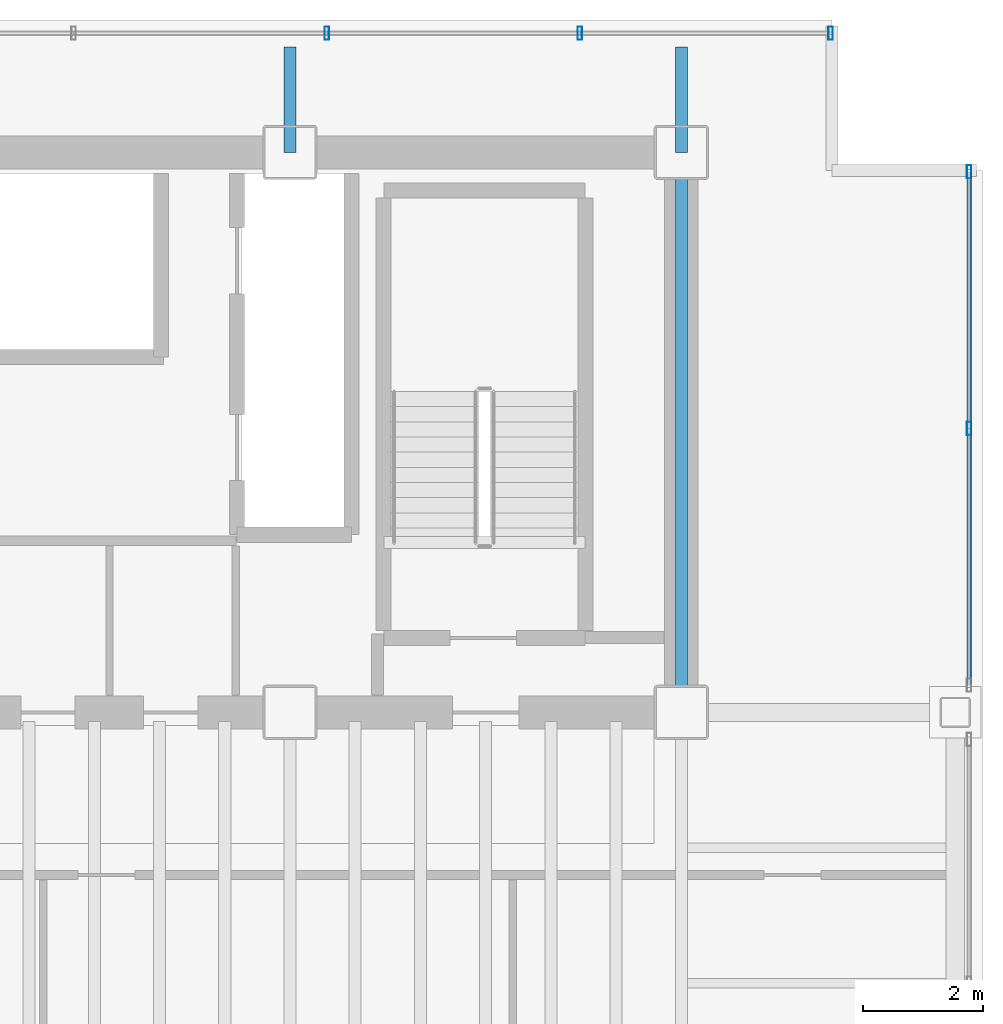
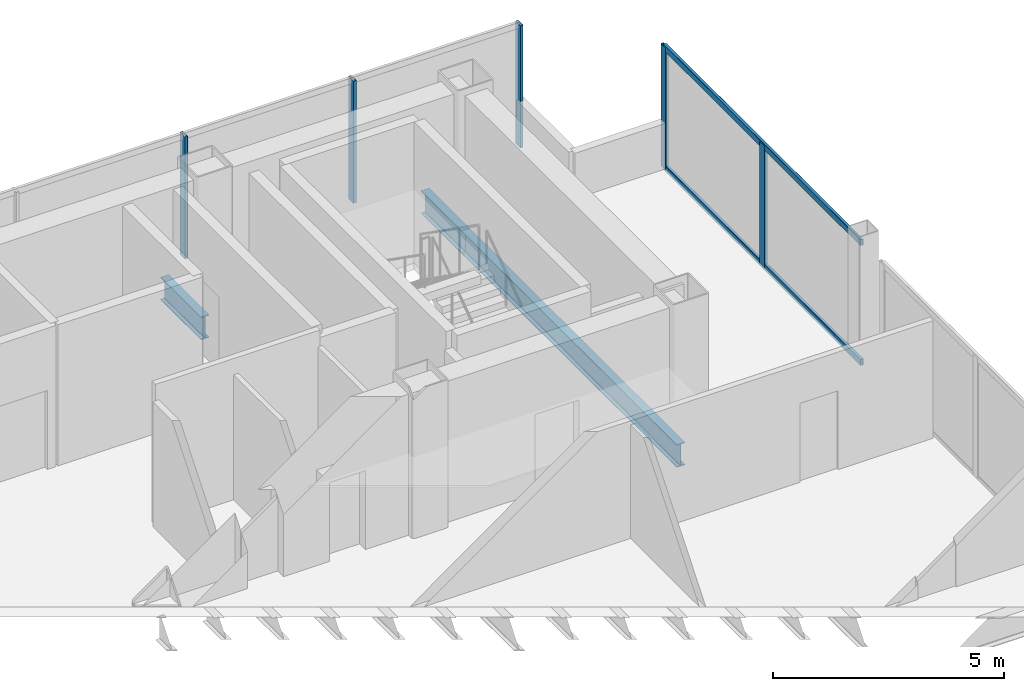
# One storey, part 17 of 22: 7 members, 3 beams, 2 elements without a shape of their own.
"""IFC4 building model written with IfcOpenShell, lengths in metres."""

from ifc_helpers import new_model, si_unit, direction, frame, origin, origin_2d, place, context, subcontext, project, spatial, hollow_rectangle, i_section, extrude, material, material_profile, profile_set, type_object, element, aggregate, save


model = new_model("IFC4")

# Units and contexts
model_context = context("Model", 3, precision=1e-05, world=origin(), true_north=direction((0.0, 1.0)))
body_context = subcontext(model_context, "Body", "Model", "MODEL_VIEW")
ifc_project = project(units=[si_unit("LENGTHUNIT", "METRE"), si_unit("AREAUNIT", "SQUARE_METRE"), si_unit("VOLUMEUNIT", "CUBIC_METRE"), si_unit("PLANEANGLEUNIT", "RADIAN"), si_unit("MASSUNIT", "GRAM", prefix="KILO")], contexts=[model_context])

# Site, building, storey
site_placement = place(None, origin())
site = spatial("IfcSite", under=ifc_project, at=site_placement, CompositionType="ELEMENT")
building_placement = place(site_placement, origin())
building = spatial("IfcBuilding", under=site, at=building_placement, Name="Noeulbin Bourse Tower", CompositionType="ELEMENT")
storey_placement = place(building_placement, frame((0.0, 0.0, 130.5)))
storey = spatial("IfcBuildingStorey", under=building, at=storey_placement, Name="L32", CompositionType="ELEMENT", Elevation=130.5)

# Beams
ifc_material_1 = material(Name="Steel S355", Category="steel")
ifc_material_profile_1 = material_profile(ifc_material_1, i_section(OverallWidth=0.199951171875, OverallDepth=0.60009765625, WebThickness=0.010986328125, FlangeThickness=0.01708984375, FilletRadius=0.02197265625, at=origin_2d()), Name="H-600x200x11x17", Category="LoadBearing")
ifc_profile_set_1 = profile_set([ifc_material_profile_1], Name="Steel S355")
beam_type = type_object("IfcBeamType", Name="BM-GRD-600", PredefinedType="USERDEFINED", material=ifc_profile_set_1)
beam_1_placement = place(storey_placement, frame((37.5, 38.300048828125, -0.47998046875), z_axis=(0.0, 1.0, 0.0), x_axis=(-1.0, 0.0, 0.0)))
element("IfcBeam", 1, at=beam_1_placement, inside=storey, type_object=beam_type, Name="Tower Primary Girder NS L32-4.4", ObjectType="GIRDER", PredefinedType="USERDEFINED", context=body_context, shape_type="SweptSolid", body=[
    extrude(i_section(OverallWidth=0.199951171875, OverallDepth=0.60009765625, WebThickness=0.010986328125, FlangeThickness=0.01708984375, FilletRadius=0.02197265625, at=origin_2d()), origin(), (0.0, 0.0, 1.0), 1.75),
])
beam_2_placement = place(storey_placement, frame((44.0, 29.0, -0.47998046875), z_axis=(0.0, 1.0, 0.0), x_axis=(-1.0, 0.0, 0.0)))
element("IfcBeam", 2, at=beam_2_placement, inside=storey, type_object=beam_type, Name="Tower Primary Girder NS L32-5.3", ObjectType="GIRDER", PredefinedType="USERDEFINED", context=body_context, shape_type="SweptSolid", body=[
    extrude(i_section(OverallWidth=0.199951171875, OverallDepth=0.60009765625, WebThickness=0.010986328125, FlangeThickness=0.01708984375, FilletRadius=0.02197265625, at=origin_2d()), origin(), (0.0, 0.0, 1.0), 9.300048828125),
])
beam_3_placement = place(storey_placement, frame((44.0, 38.300048828125, -0.47998046875), z_axis=(0.0, 1.0, 0.0), x_axis=(-1.0, 0.0, 0.0)))
element("IfcBeam", 3, at=beam_3_placement, inside=storey, type_object=beam_type, Name="Tower Primary Girder NS L32-5.4", ObjectType="GIRDER", PredefinedType="USERDEFINED", context=body_context, shape_type="SweptSolid", body=[
    extrude(i_section(OverallWidth=0.199951171875, OverallDepth=0.60009765625, WebThickness=0.010986328125, FlangeThickness=0.01708984375, FilletRadius=0.02197265625, at=origin_2d()), origin(), (0.0, 0.0, 1.0), 1.75),
])

# Curtain wall, members
ifc_material_2 = material(Name="Dark Tinted Triple Glazing", Category="glass")
curtain_wall_type = type_object("IfcCurtainWallType", Name="CW-SYS-3", PredefinedType="NOTDEFINED", material=ifc_material_2)
curtain_wall_1_placement = place(storey_placement, origin())
curtain_wall_1 = element("IfcCurtainWall", 4, at=curtain_wall_1_placement, inside=storey, type_object=curtain_wall_type, Name="Unitised Curtain Wall CW-L32-N", PredefinedType="NOTDEFINED")
ifc_material_3 = material(Name="Anodised Aluminium 6063-T6", Category="aluminium")
ifc_material_profile_2 = material_profile(ifc_material_3, hollow_rectangle(XDim=0.074951171875, YDim=0.219970703125, WallThickness=0.0048828125, InnerFilletRadius=0.00244140625, OuterFilletRadius=0.0048828125, at=origin_2d()), Name="ALU-MULL-75x220x5", Category="LoadBearing")
ifc_profile_set_2 = profile_set([ifc_material_profile_2], Name="Anodised Aluminium 6063-T6")
member_type_1 = type_object("IfcMemberType", Name="CW-SYS-3-MUL", PredefinedType="MULLION", material=ifc_profile_set_2)
member_1_placement = place(storey_placement, frame((38.112060546875, 40.280029296875, -0.02001953125), z_axis=(0.0, 0.0, 1.0), x_axis=(1.0, 0.0, 0.0)))
member_1 = element("IfcMember", 5, at=member_1_placement, type_object=member_type_1, Name="Curtain Wall Mullion CW-L32-N-M08", PredefinedType="MULLION", context=body_context, shape_type="SweptSolid", body=[
    extrude(hollow_rectangle(XDim=0.074951171875, YDim=0.219970703125, WallThickness=0.0048828125, InnerFilletRadius=0.00244140625, OuterFilletRadius=0.0048828125, at=origin_2d()), origin(), (0.0, 0.0, 1.0), 3.219970703125),
])
member_2_placement = place(storey_placement, frame((42.31591796875, 40.280029296875, -0.02001953125), z_axis=(0.0, 0.0, 1.0), x_axis=(1.0, 0.0, 0.0)))
member_2 = element("IfcMember", 6, at=member_2_placement, type_object=member_type_1, Name="Curtain Wall Mullion CW-L32-N-M09", PredefinedType="MULLION", context=body_context, shape_type="SweptSolid", body=[
    extrude(hollow_rectangle(XDim=0.074951171875, YDim=0.219970703125, WallThickness=0.0048828125, InnerFilletRadius=0.00244140625, OuterFilletRadius=0.0048828125, at=origin_2d()), origin(), (0.0, 0.0, 1.0), 3.219970703125),
])
member_3_placement = place(storey_placement, frame((46.47998046875, 40.280029296875, -0.02001953125), z_axis=(0.0, 0.0, 1.0), x_axis=(1.0, 0.0, 0.0)))
member_3 = element("IfcMember", 7, at=member_3_placement, type_object=member_type_1, Name="Curtain Wall Mullion CW-L32-N-M10", PredefinedType="MULLION", context=body_context, shape_type="SweptSolid", body=[
    extrude(hollow_rectangle(XDim=0.074951171875, YDim=0.219970703125, WallThickness=0.0048828125, InnerFilletRadius=0.00244140625, OuterFilletRadius=0.0048828125, at=origin_2d()), origin(), (0.0, 0.0, 1.0), 3.219970703125),
])
aggregate(curtain_wall_1, [member_1, member_2, member_3])

curtain_wall_2_placement = place(storey_placement, origin())
curtain_wall_2 = element("IfcCurtainWall", 8, at=curtain_wall_2_placement, inside=storey, type_object=curtain_wall_type, Name="Unitised Curtain Wall CW-L32-E-S3", PredefinedType="NOTDEFINED")
member_4_placement = place(storey_placement, frame((48.780029296875, 33.715087890625, -0.02001953125), z_axis=(0.0, 0.0, 1.0), x_axis=(1.0, 0.0, 0.0)))
member_4 = element("IfcMember", 9, at=member_4_placement, type_object=member_type_1, Name="Curtain Wall Mullion CW-L32-E-S3-M01", PredefinedType="MULLION", context=body_context, shape_type="SweptSolid", body=[
    extrude(hollow_rectangle(XDim=0.074951171875, YDim=0.219970703125, WallThickness=0.0048828125, InnerFilletRadius=0.00244140625, OuterFilletRadius=0.0048828125, at=origin_2d()), origin(), (0.0, 0.0, 1.0), 3.219970703125),
])
member_5_placement = place(storey_placement, frame((48.780029296875, 37.97998046875, -0.02001953125), z_axis=(0.0, 0.0, 1.0), x_axis=(1.0, 0.0, 0.0)))
member_5 = element("IfcMember", 10, at=member_5_placement, type_object=member_type_1, Name="Curtain Wall Mullion CW-L32-E-S3-M02", PredefinedType="MULLION", context=body_context, shape_type="SweptSolid", body=[
    extrude(hollow_rectangle(XDim=0.074951171875, YDim=0.219970703125, WallThickness=0.0048828125, InnerFilletRadius=0.00244140625, OuterFilletRadius=0.0048828125, at=origin_2d()), origin(), (0.0, 0.0, 1.0), 3.219970703125),
])
ifc_material_profile_3 = material_profile(ifc_material_3, hollow_rectangle(XDim=0.074951171875, YDim=0.159912109375, WallThickness=0.0048828125, InnerFilletRadius=0.00244140625, OuterFilletRadius=0.0048828125, at=origin_2d()), Name="ALU-TRAN-75x160x5", Category="LoadBearing")
ifc_profile_set_3 = profile_set([ifc_material_profile_3], Name="Anodised Aluminium 6063-T6")
member_type_2 = type_object("IfcMemberType", Name="CW-SYS-3-TRN", PredefinedType="USERDEFINED", material=ifc_profile_set_3)
member_6_placement = place(storey_placement, frame((48.780029296875, 29.4599609375, 0.010009765625), z_axis=(0.0, 1.0, 0.0), x_axis=(-1.0, 0.0, 0.0)))
member_6 = element("IfcMember", 11, at=member_6_placement, type_object=member_type_2, Name="Curtain Wall Transom CW-L32-E-S3-T00", ObjectType="TRANSOM", PredefinedType="USERDEFINED", context=body_context, shape_type="SweptSolid", body=[
    extrude(hollow_rectangle(XDim=0.074951171875, YDim=0.159912109375, WallThickness=0.0048828125, InnerFilletRadius=0.00244140625, OuterFilletRadius=0.0048828125, at=origin_2d()), origin(), (0.0, 0.0, 1.0), 8.510009765625),
])
member_7_placement = place(storey_placement, frame((48.780029296875, 29.4599609375, 3.169921875), z_axis=(0.0, 1.0, 0.0), x_axis=(-1.0, 0.0, 0.0)))
member_7 = element("IfcMember", 12, at=member_7_placement, type_object=member_type_2, Name="Curtain Wall Transom CW-L32-E-S3-T01", ObjectType="TRANSOM", PredefinedType="USERDEFINED", context=body_context, shape_type="SweptSolid", body=[
    extrude(hollow_rectangle(XDim=0.074951171875, YDim=0.159912109375, WallThickness=0.0048828125, InnerFilletRadius=0.00244140625, OuterFilletRadius=0.0048828125, at=origin_2d()), origin(), (0.0, 0.0, 1.0), 8.510009765625),
])
aggregate(curtain_wall_2, [member_4, member_5, member_6, member_7])

save(model, "model.ifc")
